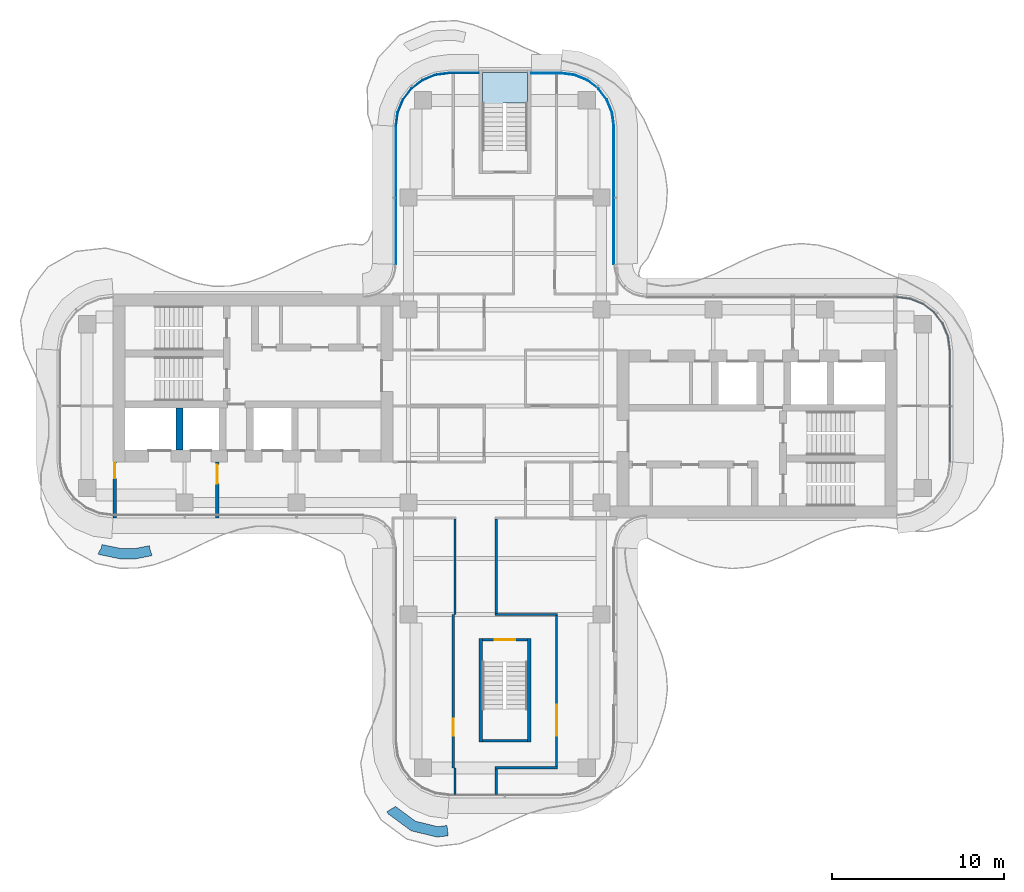
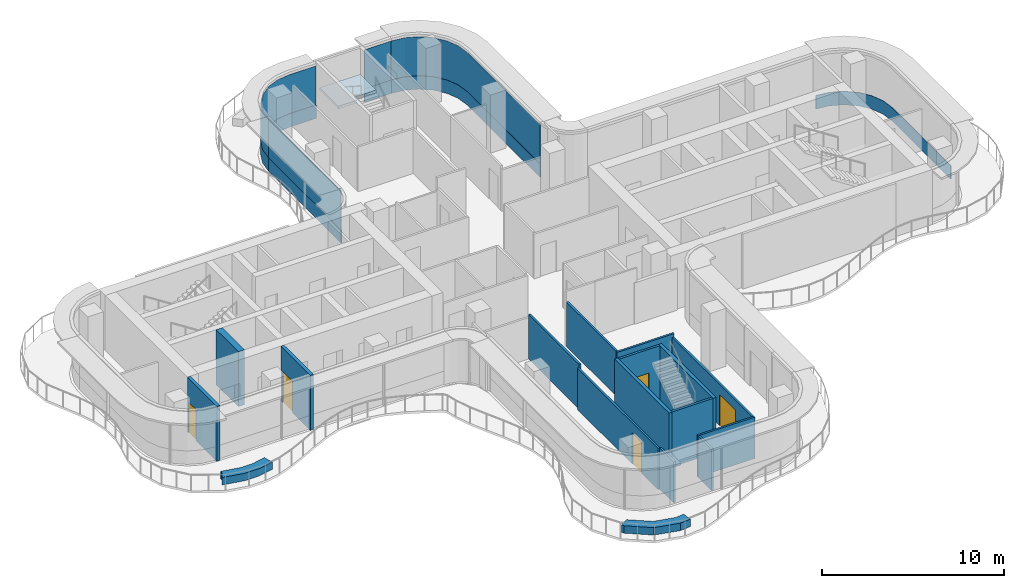
# One storey, part 10 of 16: 17 walls, 9 plates, 5 doors, 1 slab, 5 openings, 6 elements without a shape of their own.
"""IFC4 building model written with IfcOpenShell, lengths in metres."""

import ifcopenshell
import ifcopenshell.guid

model = None  # the IFC model being written
_history = None  # IfcOwnerHistory: only IFC2X3 demands one
_inside = {}  # id of a spatial element -> (the spatial element, [elements in it])
_under = {}  # id of a project, library or spatial element -> (it, [spatial elements below it])
_declared = {}  # id of a project -> (the project, [libraries it declares])
_typed = {}  # id of a type object -> (the type object, [elements of that type])
_made_of = {}  # id of a material, layer set ... -> (it, [elements and type objects made of it])


def new_model(schema):
    """Start an empty IFC model of exactly this schema.

    Asked for "IFC4X3", IfcOpenShell would pick the latest addendum, in which some entities
    have other attributes; the version numbers below select the first issue.
    IFC2X3 requires an IfcOwnerHistory on every rooted entity: one is made here for all.
    """
    global model, _history
    if schema == "IFC4X3":
        model = ifcopenshell.file(schema_version=(4, 3, 0, 0))
    else:
        model = ifcopenshell.file(schema=schema)
    _inside.clear()
    _under.clear()
    _declared.clear()
    _typed.clear()
    _made_of.clear()
    _history = None
    if model.schema == "IFC2X3":
        org = make("IfcOrganization", Name="unknown")
        user = make(
            "IfcPersonAndOrganization",
            ThePerson=make("IfcPerson", FamilyName="unknown"),
            TheOrganization=org,
        )
        app = make(
            "IfcApplication",
            ApplicationDeveloper=org,
            Version="unknown",
            ApplicationFullName="unknown",
            ApplicationIdentifier="unknown",
        )
        _history = make(
            "IfcOwnerHistory",
            OwningUser=user,
            OwningApplication=app,
            ChangeAction="ADDED",
            CreationDate=0,
        )
    return model


def make(cls, **values):
    """One entity of the class cls with the attributes given. An attribute that is None is left unset."""
    return model.create_entity(
        cls, **{name: value for name, value in values.items() if value is not None}
    )


def rooted(cls, **values):
    """An entity with a GlobalId (a new one), such as an element, a storey or a relation."""
    return make(cls, GlobalId=ifcopenshell.guid.new(), OwnerHistory=_history, **values)


def si_unit(unit_type, name, prefix=None):
    """IfcSIUnit, for example si_unit("LENGTHUNIT", "METRE", prefix="MILLI")."""
    return make("IfcSIUnit", UnitType=unit_type, Prefix=prefix, Name=name)


def assignment(units):
    """IfcUnitAssignment: the units of a project."""
    return None if units is None else make("IfcUnitAssignment", Units=units)


def point(xyz):
    """IfcCartesianPoint."""
    return None if xyz is None else make("IfcCartesianPoint", Coordinates=xyz)


def direction(xyz):
    """IfcDirection."""
    return None if xyz is None else make("IfcDirection", DirectionRatios=xyz)


def frame(location, z_axis=None, x_axis=None):
    """IfcAxis2Placement3D, a coordinate frame: its origin and axes. An axis left out is left unset."""
    return make(
        "IfcAxis2Placement3D",
        Location=point(location),
        Axis=direction(z_axis),
        RefDirection=direction(x_axis),
    )


def frame_2d(location, x_axis=None):
    """IfcAxis2Placement2D, a coordinate frame in the plane: its origin and x axis."""
    return make(
        "IfcAxis2Placement2D", Location=point(location), RefDirection=direction(x_axis)
    )


def origin():
    """The frame at (0, 0, 0) with its axes left unset."""
    return frame((0.0, 0.0, 0.0))


def place(relative_to, where):
    """IfcLocalPlacement: puts the frame where relative to a parent placement (None: the world)."""
    return make(
        "IfcLocalPlacement", PlacementRelTo=relative_to, RelativePlacement=where
    )


def context(
    kind, dimensions, precision=None, world=None, true_north=None, identifier=None
):
    """IfcGeometricRepresentationContext, for example the 3D "Model" context."""
    return make(
        "IfcGeometricRepresentationContext",
        ContextIdentifier=identifier,
        ContextType=kind,
        CoordinateSpaceDimension=dimensions,
        Precision=precision,
        WorldCoordinateSystem=world,
        TrueNorth=true_north,
    )


def subcontext(parent, identifier, kind, view, scale=None):
    """IfcGeometricRepresentationSubContext, for example "Body" below "Model"."""
    return make(
        "IfcGeometricRepresentationSubContext",
        ContextIdentifier=identifier,
        ContextType=kind,
        ParentContext=parent,
        TargetScale=scale,
        TargetView=view,
    )


def project(units=None, contexts=None):
    """IfcProject with its units and contexts."""
    return rooted(
        "IfcProject",
        Name="project",
        RepresentationContexts=contexts,
        UnitsInContext=assignment(units),
    )


def spatial(cls, under=None, at=None, **own):
    """A site, building, storey or space (cls), placed at a placement, below another one or the project."""
    s = rooted(cls, ObjectPlacement=at, **own)
    if under is not None:
        _under.setdefault(under.id(), (under, []))[1].append(s)
    return s


def polyline(points):
    """IfcPolyline through the points."""
    return make("IfcPolyline", Points=[point(p) for p in points])


def profile(cls, at=None, kind="AREA", **sizes):
    """A parametric profile (cls). Its sizes go by their IFC names, for example OverallWidth=200.0."""
    return make(cls, ProfileType=kind, Position=at, **sizes)


def rectangle(**sizes):
    """IfcRectangleProfileDef."""
    return profile("IfcRectangleProfileDef", **sizes)


def outline(outer, holes=None, kind="AREA"):
    """IfcArbitraryClosedProfileDef: a profile drawn as a closed curve; with holes, ...WithVoids."""
    if holes is None:
        return make("IfcArbitraryClosedProfileDef", ProfileType=kind, OuterCurve=outer)
    return make(
        "IfcArbitraryProfileDefWithVoids",
        ProfileType=kind,
        OuterCurve=outer,
        InnerCurves=holes,
    )


def extrude(swept, where, along, depth):
    """IfcExtrudedAreaSolid: the profile swept, set in the frame where, extruded along a direction by depth."""
    return make(
        "IfcExtrudedAreaSolid",
        SweptArea=swept,
        Position=where,
        ExtrudedDirection=direction(along),
        Depth=depth,
    )


def shape(context_of_items, identifier, shape_type, items):
    """IfcShapeRepresentation: the items that make up one representation, for example the "Body"."""
    return make(
        "IfcShapeRepresentation",
        ContextOfItems=context_of_items,
        RepresentationIdentifier=identifier,
        RepresentationType=shape_type,
        Items=items,
    )


def source(mapping_origin, context_of_items, identifier, shape_type, items):
    """IfcRepresentationMap: a shape defined once, which mapped items show again and again."""
    return make(
        "IfcRepresentationMap",
        MappingOrigin=mapping_origin,
        MappedRepresentation=shape(context_of_items, identifier, shape_type, items),
    )


def transform(
    local_origin,
    x_axis=None,
    y_axis=None,
    z_axis=None,
    scale=None,
    scale2=None,
    scale3=None,
    uniform=True,
):
    """IfcCartesianTransformationOperator3D, or its non-uniform kind. x_axis, y_axis, z_axis: its Axis1, 2, 3."""
    if uniform:
        return make(
            "IfcCartesianTransformationOperator3D",
            Axis1=direction(x_axis),
            Axis2=direction(y_axis),
            LocalOrigin=point(local_origin),
            Scale=scale,
            Axis3=direction(z_axis),
        )
    return make(
        "IfcCartesianTransformationOperator3DnonUniform",
        Axis1=direction(x_axis),
        Axis2=direction(y_axis),
        LocalOrigin=point(local_origin),
        Scale=scale,
        Axis3=direction(z_axis),
        Scale2=scale2,
        Scale3=scale3,
    )


def mapped(mapping_source, mapping_target):
    """IfcMappedItem: shows the shape of a source again, moved by a transform."""
    return make(
        "IfcMappedItem", MappingSource=mapping_source, MappingTarget=mapping_target
    )


def material(Name=None, Category=None):
    """IfcMaterial."""
    return make("IfcMaterial", Name=Name, Category=Category)


def layer(
    of_material, thickness, ventilated=None, Name=None, Category=None, Priority=None
):
    """IfcMaterialLayer: one layer of a wall or slab, of a material (None: an air gap)."""
    return make(
        "IfcMaterialLayer",
        Material=of_material,
        LayerThickness=thickness,
        IsVentilated=ventilated,
        Name=Name,
        Category=Category,
        Priority=Priority,
    )


def layer_set(layers, Name=None):
    """IfcMaterialLayerSet."""
    return make("IfcMaterialLayerSet", MaterialLayers=layers, LayerSetName=Name)


def made_of(thing, what):
    """Note that an element or type object is made of a material, layer set ...; save() writes the relation."""
    if what is not None:
        _made_of.setdefault(what.id(), (what, []))[1].append(thing)
    return thing


def type_object(cls, material=None, **own):
    """A type object (cls), such as IfcWallType, which elements share."""
    return made_of(rooted(cls, **own), material)


def element(
    cls,
    number,
    at=None,
    inside=None,
    cuts=None,
    type_object=None,
    material=None,
    context=None,
    identifier="Body",
    shape_type=None,
    held_by="IfcProductDefinitionShape",
    body=None,
    shapes=None,
    **own,
):
    """One element of the class cls, such as IfcWall. Its Tag is "e" and its number.

    at: its placement. inside: the storey or other place that contains it. cuts: it is an
    opening in that element (IfcRelVoidsElement). A single representation is given by context,
    identifier, shape_type and body (its items); several are given by shapes. held_by: the class
    of the entity that holds the representations. save() writes the other relations.
    """
    e = rooted(cls, Tag="e%d" % number, ObjectPlacement=at, **own)
    if body is not None:
        shapes = [shape(context, identifier, shape_type, body)]
    if shapes is not None:
        e.Representation = make(held_by, Representations=shapes)
    if inside is not None:
        _inside.setdefault(inside.id(), (inside, []))[1].append(e)
    if cuts is not None:
        rooted(
            "IfcRelVoidsElement", RelatingBuildingElement=cuts, RelatedOpeningElement=e
        )
    if type_object is not None:
        _typed.setdefault(type_object.id(), (type_object, []))[1].append(e)
    return made_of(e, material)


def fill(opening, filler):
    """IfcRelFillsElement: the door or window that sits in an opening."""
    return rooted(
        "IfcRelFillsElement",
        RelatingOpeningElement=opening,
        RelatedBuildingElement=filler,
    )


def aggregate(whole, parts):
    """IfcRelAggregates: a whole, such as a stair, and the parts it consists of."""
    return rooted("IfcRelAggregates", RelatingObject=whole, RelatedObjects=parts)


def save(model, path):
    """Write the relations noted so far, then the file.

    IfcRelAggregates (storeys below a building ...), IfcRelContainedInSpatialStructure (elements
    in a storey), IfcRelDefinesByType, IfcRelAssociatesMaterial and IfcRelDeclares: one each for
    every whole, place, type object, material and project.
    """
    for whole, parts in _under.values():
        aggregate(whole, parts)
    for where, things in _inside.values():
        rooted(
            "IfcRelContainedInSpatialStructure",
            RelatedElements=things,
            RelatingStructure=where,
        )
    for kind, things in _typed.values():
        rooted("IfcRelDefinesByType", RelatedObjects=things, RelatingType=kind)
    for what, things in _made_of.values():
        rooted("IfcRelAssociatesMaterial", RelatedObjects=things, RelatingMaterial=what)
    for by, libraries in _declared.values():
        rooted("IfcRelDeclares", RelatingContext=by, RelatedDefinitions=libraries)
    model.write(path)


model = new_model("IFC4")

# Units and contexts
model_context = context("Model", 3, precision=1e-05, world=origin(), true_north=direction((0.0, 1.0)))
body_context = subcontext(model_context, "Body", "Model", "MODEL_VIEW")
ifc_project = project(units=[si_unit("LENGTHUNIT", "METRE"), si_unit("AREAUNIT", "SQUARE_METRE"), si_unit("VOLUMEUNIT", "CUBIC_METRE"), si_unit("PLANEANGLEUNIT", "RADIAN"), si_unit("MASSUNIT", "GRAM", prefix="KILO")], contexts=[model_context])

# Site, building, storey
site_placement = place(None, origin())
site = spatial("IfcSite", under=ifc_project, at=site_placement, CompositionType="ELEMENT")
building_placement = place(site_placement, origin())
building = spatial("IfcBuilding", under=site, at=building_placement, Name="Trellis Farm Tower", CompositionType="ELEMENT")
storey_placement = place(building_placement, frame((0.0, 0.0, 322.300048828125)))
storey = spatial("IfcBuildingStorey", under=building, at=storey_placement, Name="L73", CompositionType="ELEMENT", Elevation=322.300048828125)

# Stair, slab
ifc_material_1 = material(Name="Concrete C50/60", Category="concrete")
stair_type = type_object("IfcStairType", Name="CORE EXIT STAIR 22 RISERS 177 MM", PredefinedType="HALF_TURN_STAIR", material=ifc_material_1)
placement_1 = place(storey_placement, origin())
stair = element("IfcStair", 1, at=placement_1, inside=storey, type_object=stair_type, Name="Exit stair N", PredefinedType="HALF_TURN_STAIR")
ifc_layer_1 = layer(ifc_material_1, 0.18994140625)
ifc_layer_set_1 = layer_set([ifc_layer_1], Name="CORE STAIR LANDING 190 CONCRETE C50/60")
slab_type = type_object("IfcSlabType", Name="CORE STAIR LANDING 190 CONCRETE C50/60", PredefinedType="LANDING", material=ifc_layer_set_1)
shared_shape_1 = source(origin(), body_context, "Body", "SweptSolid", [
    extrude(outline(polyline([(-0.10009765625, 17.27197265625), (-1.300048828125, 17.27197265625), (-1.300048828125, 17.60009765625), (-1.300048828125, 19.35009765625), (1.300048828125, 19.35009765625), (1.300048828125, 17.60009765625), (1.300048828125, 17.590087890625), (0.10009765625, 17.590087890625), (0.10009765625, 17.60009765625), (-0.10009765625, 17.60009765625), (-0.10009765625, 17.27197265625)])), origin(), (0.0, 0.0, 1.0), 0.18994140625),
])
slab_placement = place(storey_placement, frame((0.0, 0.0, 1.760009765625)))
slab = element("IfcSlab", 2, at=slab_placement, type_object=slab_type, Name="STN landing 1", PredefinedType="LANDING", context=body_context, shape_type="MappedRepresentation", body=[
    mapped(shared_shape_1, transform((0.0, 0.0, 0.0))),
])
aggregate(stair, [slab])

# Curtain wall, plate
ifc_material_2 = material(Name="Aluminium and glass curtain wall", Category="aluminium")
ifc_layer_2 = layer(ifc_material_2, 0.18994140625)
ifc_layer_set_2 = layer_set([ifc_layer_2], Name="RIBBON CURTAIN WALL CW1")
curtain_wall_type = type_object("IfcCurtainWallType", Name="RIBBON CURTAIN WALL CW1", PredefinedType="NOTDEFINED", material=ifc_layer_set_2)
curtain_wall_1 = element("IfcCurtainWall", 3, at=placement_1, inside=storey, type_object=curtain_wall_type, Name="CW1 007", PredefinedType="NOTDEFINED")
ifc_material_3 = material(Name="Sandstone faced insulated panel", Category="masonry")
ifc_layer_3 = layer(ifc_material_3, 0.050048828125)
ifc_layer_set_3 = layer_set([ifc_layer_3], Name="CW1 STONE SPANDREL PANEL 50")
plate_type_1 = type_object("IfcPlateType", Name="CW1 STONE SPANDREL PANEL 50", PredefinedType="CURTAIN_PANEL", material=ifc_layer_set_3)
shared_shape_2 = source(origin(), body_context, "Body", "SweptSolid", [
    extrude(outline(polyline([(25.85009765625, -3.240234375), (25.85009765625, 3.240234375), (25.7431640625, 4.052001953125), (25.43359375, 4.79931640625), (24.941162109375, 5.441162109375), (24.29931640625, 5.93359375), (23.552001953125, 6.2431640625), (22.740234375, 6.35009765625), (22.73681640625, 6.300048828125), (23.5390625, 6.1943359375), (24.274169921875, 5.889892578125), (24.905517578125, 5.405517578125), (25.389892578125, 4.774169921875), (25.6943359375, 4.0390625), (25.800048828125, 3.23681640625), (25.800048828125, -3.23681640625), (25.85009765625, -3.240234375)])), origin(), (0.0, 0.0, 1.0), 0.89990234375),
])
plate_1 = element("IfcPlate", 4, at=placement_1, type_object=plate_type_1, Name="PS1 007", PredefinedType="CURTAIN_PANEL", context=body_context, shape_type="MappedRepresentation", body=[
    mapped(shared_shape_2, transform((0.0, 0.0, 0.0))),
])
aggregate(curtain_wall_1, [plate_1])

# Curtain wall, plates
curtain_wall_2 = element("IfcCurtainWall", 5, at=placement_1, inside=storey, type_object=curtain_wall_type, Name="CW1 009", PredefinedType="NOTDEFINED")
ifc_material_4 = material(Name="Clear insulated glass", Category="glass")
ifc_layer_4 = layer(ifc_material_4, 0.0400390625)
ifc_layer_set_4 = layer_set([ifc_layer_4], Name="CW1 GLASS PANEL 40")
plate_type_2 = type_object("IfcPlateType", Name="CW1 GLASS PANEL 40", PredefinedType="CURTAIN_PANEL", material=ifc_layer_set_4)
shared_shape_3 = source(origin(), body_context, "Body", "SweptSolid", [
    extrude(outline(polyline([(6.35009765625, 8.2265625), (6.35009765625, 16.240234375), (6.2431640625, 17.052001953125), (5.93359375, 17.79931640625), (5.441162109375, 18.441162109375), (4.79931640625, 18.93359375), (4.052001953125, 19.2431640625), (3.240234375, 19.35009765625), (3.237548828125, 19.31005859375), (4.04150390625, 19.2041015625), (4.779296875, 18.898681640625), (5.41259765625, 18.41259765625), (5.898681640625, 17.779296875), (6.2041015625, 17.04150390625), (6.31005859375, 16.237548828125), (6.31005859375, 8.22509765625), (6.35009765625, 8.2265625)])), origin(), (0.0, 0.0, 1.0), 2.6201171875),
])
placement_2 = place(storey_placement, frame((0.0, 0.0, 0.89990234375)))
plate_2 = element("IfcPlate", 6, at=placement_2, type_object=plate_type_2, Name="PL1 009", PredefinedType="CURTAIN_PANEL", context=body_context, shape_type="MappedRepresentation", body=[
    mapped(shared_shape_3, transform((0.0, 0.0, 0.0))),
])
shared_shape_4 = source(origin(), body_context, "Body", "SweptSolid", [
    extrude(outline(polyline([(6.35009765625, 8.2265625), (6.35009765625, 16.240234375), (6.2431640625, 17.052001953125), (5.93359375, 17.79931640625), (5.441162109375, 18.441162109375), (4.79931640625, 18.93359375), (4.052001953125, 19.2431640625), (3.240234375, 19.35009765625), (3.23681640625, 19.300048828125), (4.0390625, 19.1943359375), (4.774169921875, 18.889892578125), (5.405517578125, 18.405517578125), (5.889892578125, 17.774169921875), (6.1943359375, 17.0390625), (6.300048828125, 16.23681640625), (6.300048828125, 8.224853515625), (6.35009765625, 8.2265625)])), origin(), (0.0, 0.0, 1.0), 0.89990234375),
])
plate_3 = element("IfcPlate", 7, at=placement_1, type_object=plate_type_1, Name="PS1 009", PredefinedType="CURTAIN_PANEL", context=body_context, shape_type="MappedRepresentation", body=[
    mapped(shared_shape_4, transform((0.0, 0.0, 0.0))),
])
aggregate(curtain_wall_2, [plate_2, plate_3])

curtain_wall_3 = element("IfcCurtainWall", 8, at=placement_1, inside=storey, type_object=curtain_wall_type, Name="CW1 010", PredefinedType="NOTDEFINED")
shared_shape_5 = source(origin(), body_context, "Body", "SweptSolid", [
    extrude(outline(polyline([(3.240234375, 19.35009765625), (1.530029296875, 19.35009765625), (1.530029296875, 19.31005859375), (3.237548828125, 19.31005859375), (3.240234375, 19.35009765625)])), origin(), (0.0, 0.0, 1.0), 2.6201171875),
])
plate_4 = element("IfcPlate", 9, at=placement_2, type_object=plate_type_2, Name="PL1 010", PredefinedType="CURTAIN_PANEL", context=body_context, shape_type="MappedRepresentation", body=[
    mapped(shared_shape_5, transform((0.0, 0.0, 0.0))),
])
shared_shape_6 = source(origin(), body_context, "Body", "SweptSolid", [
    extrude(outline(polyline([(3.240234375, 19.35009765625), (1.530029296875, 19.35009765625), (1.530029296875, 19.300048828125), (3.23681640625, 19.300048828125), (3.240234375, 19.35009765625)])), origin(), (0.0, 0.0, 1.0), 0.89990234375),
])
plate_5 = element("IfcPlate", 10, at=placement_1, type_object=plate_type_1, Name="PS1 010", PredefinedType="CURTAIN_PANEL", context=body_context, shape_type="MappedRepresentation", body=[
    mapped(shared_shape_6, transform((0.0, 0.0, 0.0))),
])
aggregate(curtain_wall_3, [plate_4, plate_5])

curtain_wall_4 = element("IfcCurtainWall", 11, at=placement_1, inside=storey, type_object=curtain_wall_type, Name="CW1 012", PredefinedType="NOTDEFINED")
shared_shape_7 = source(origin(), body_context, "Body", "SweptSolid", [
    extrude(outline(polyline([(-6.35009765625, 16.240234375), (-6.35009765625, 8.2265625), (-6.31005859375, 8.22509765625), (-6.31005859375, 16.237548828125), (-6.35009765625, 16.240234375)])), origin(), (0.0, 0.0, 1.0), 2.6201171875),
])
plate_6 = element("IfcPlate", 12, at=placement_2, type_object=plate_type_2, Name="PL1 012", PredefinedType="CURTAIN_PANEL", context=body_context, shape_type="MappedRepresentation", body=[
    mapped(shared_shape_7, transform((0.0, 0.0, 0.0))),
])
shared_shape_8 = source(origin(), body_context, "Body", "SweptSolid", [
    extrude(outline(polyline([(-6.35009765625, 16.240234375), (-6.35009765625, 8.2265625), (-6.300048828125, 8.224853515625), (-6.300048828125, 16.23681640625), (-6.35009765625, 16.240234375)])), origin(), (0.0, 0.0, 1.0), 0.89990234375),
])
plate_7 = element("IfcPlate", 13, at=placement_1, type_object=plate_type_1, Name="PS1 012", PredefinedType="CURTAIN_PANEL", context=body_context, shape_type="MappedRepresentation", body=[
    mapped(shared_shape_8, transform((0.0, 0.0, 0.0))),
])
aggregate(curtain_wall_4, [plate_6, plate_7])

curtain_wall_5 = element("IfcCurtainWall", 14, at=placement_1, inside=storey, type_object=curtain_wall_type, Name="CW1 011", PredefinedType="NOTDEFINED")
shared_shape_9 = source(origin(), body_context, "Body", "SweptSolid", [
    extrude(outline(polyline([(-1.530029296875, 19.35009765625), (-3.240234375, 19.35009765625), (-4.052001953125, 19.2431640625), (-4.79931640625, 18.93359375), (-5.441162109375, 18.441162109375), (-5.93359375, 17.79931640625), (-6.2431640625, 17.052001953125), (-6.35009765625, 16.240234375), (-6.31005859375, 16.237548828125), (-6.2041015625, 17.04150390625), (-5.898681640625, 17.779296875), (-5.41259765625, 18.41259765625), (-4.779296875, 18.898681640625), (-4.04150390625, 19.2041015625), (-3.237548828125, 19.31005859375), (-1.530029296875, 19.31005859375), (-1.530029296875, 19.35009765625)])), origin(), (0.0, 0.0, 1.0), 2.6201171875),
])
plate_8 = element("IfcPlate", 15, at=placement_2, type_object=plate_type_2, Name="PL1 011", PredefinedType="CURTAIN_PANEL", context=body_context, shape_type="MappedRepresentation", body=[
    mapped(shared_shape_9, transform((0.0, 0.0, 0.0))),
])
shared_shape_10 = source(origin(), body_context, "Body", "SweptSolid", [
    extrude(outline(polyline([(-1.530029296875, 19.35009765625), (-3.240234375, 19.35009765625), (-4.052001953125, 19.2431640625), (-4.79931640625, 18.93359375), (-5.441162109375, 18.441162109375), (-5.93359375, 17.79931640625), (-6.2431640625, 17.052001953125), (-6.35009765625, 16.240234375), (-6.300048828125, 16.23681640625), (-6.1943359375, 17.0390625), (-5.889892578125, 17.774169921875), (-5.405517578125, 18.405517578125), (-4.774169921875, 18.889892578125), (-4.0390625, 19.1943359375), (-3.23681640625, 19.300048828125), (-1.530029296875, 19.300048828125), (-1.530029296875, 19.35009765625)])), origin(), (0.0, 0.0, 1.0), 0.89990234375),
])
plate_9 = element("IfcPlate", 16, at=placement_1, type_object=plate_type_1, Name="PS1 011", PredefinedType="CURTAIN_PANEL", context=body_context, shape_type="MappedRepresentation", body=[
    mapped(shared_shape_10, transform((0.0, 0.0, 0.0))),
])
aggregate(curtain_wall_5, [plate_8, plate_9])

# Walls
ifc_material_5 = material(Name="Sandstone faced masonry planter", Category="masonry")
ifc_layer_5 = layer(ifc_material_5, 0.60009765625)
ifc_layer_set_5 = layer_set([ifc_layer_5], Name="PLANTER BED 600")
wall_type_1 = type_object("IfcWallType", Name="PLANTER BED 600", PredefinedType="USERDEFINED", material=ifc_layer_set_5)
element("IfcWall", 17, at=placement_1, inside=storey, type_object=wall_type_1, Name="PLANTER bed", ObjectType="PLANTER", PredefinedType="USERDEFINED", context=body_context, shape_type="SweptSolid", body=[
    extrude(outline(polyline([(-3.9453125, -25.021728515625), (-5.444091796875, -24.65673828125), (-6.772216796875, -23.6796875), (-6.854248046875, -23.542236328125), (-6.339599609375, -23.234130859375), (-6.3193359375, -23.267822265625), (-5.185302734375, -24.102294921875), (-3.906982421875, -24.41357421875), (-3.363037109375, -24.351806640625), (-3.29541015625, -24.947998046875), (-3.9453125, -25.021728515625)])), origin(), (0.0, 0.0, 1.0), 0.5),
])
element("IfcWall", 18, at=placement_1, inside=storey, type_object=wall_type_1, Name="PLANTER bed", ObjectType="PLANTER", PredefinedType="USERDEFINED", context=body_context, shape_type="SweptSolid", body=[
    extrude(outline(polyline([(-23.425537109375, -8.185791015625), (-23.39501953125, -8.0390625), (-22.2646484375, -8.2744140625), (-21.465087890625, -8.269775390625), (-20.640625, -8.10693359375), (-20.61181640625, -8.254150390625), (-20.62890625, -8.2587890625), (-20.478759765625, -8.682861328125), (-21.40478515625, -8.869384765625), (-22.32470703125, -8.874755859375), (-23.5615234375, -8.6171875), (-23.623291015625, -8.583251953125), (-23.40771484375, -8.1923828125), (-23.425537109375, -8.185791015625)])), origin(), (0.0, 0.0, 1.0), 0.5),
])
ifc_layer_6 = layer(ifc_material_1, 0.39990234375)
ifc_layer_set_6 = layer_set([ifc_layer_6], Name="CORE INNER WALL 400 CONCRETE C50/60")
wall_type_2 = type_object("IfcWallType", Name="CORE INNER WALL 400 CONCRETE C50/60", PredefinedType="SHEAR", material=ifc_layer_set_6)
shared_shape_11 = source(origin(), body_context, "Body", "SweptSolid", [
    extrude(rectangle(XDim=2.449951171875, YDim=0.39990234375, at=frame_2d((1.22509765625, 0.0))), origin(), (0.0, 0.0, 1.0), 3.699951171875),
])
wall_3_placement = place(storey_placement, frame((-18.89990234375, -0.10009765625, 0.0), z_axis=(0.0, 0.0, 1.0), x_axis=(0.0, -1.0, 0.0)))
element("IfcWall", 19, at=wall_3_placement, inside=storey, type_object=wall_type_2, Name="Core wall", PredefinedType="SHEAR", context=body_context, shape_type="MappedRepresentation", body=[
    mapped(shared_shape_11, transform((0.0, 0.0, 0.0))),
])

# Wall, opening, door
ifc_material_6 = material(Name="Masonry blockwork", Category="masonry")
ifc_layer_7 = layer(ifc_material_6, 0.199951171875)
ifc_layer_set_7 = layer_set([ifc_layer_7], Name="FIRE LOBBY PARTITION 200 BLOCKWORK")
wall_type_3 = type_object("IfcWallType", Name="FIRE LOBBY PARTITION 200 BLOCKWORK", PredefinedType="PARTITIONING", material=ifc_layer_set_7)
shared_shape_12 = source(origin(), body_context, "Body", "SweptSolid", [
    extrude(rectangle(XDim=3.25, YDim=0.199951171875, at=frame_2d((1.625, 0.0))), origin(), (0.0, 0.0, 1.0), 3.699951171875),
])
wall_4_placement = place(storey_placement, frame((-16.699951171875, -3.25, 0.0), z_axis=(0.0, 0.0, 1.0), x_axis=(0.0, -1.0, 0.0)))
wall_4 = element("IfcWall", 20, at=wall_4_placement, inside=storey, type_object=wall_type_3, Name="Fire-fighting lobby partition", PredefinedType="PARTITIONING", context=body_context, shape_type="MappedRepresentation", body=[
    mapped(shared_shape_12, transform((0.0, 0.0, 0.0))),
])
shared_shape_13 = source(origin(), body_context, "Body", "SweptSolid", [
    extrude(rectangle(XDim=1.10009765625, YDim=2.10009765625, at=frame_2d((0.550048828125, 1.050048828125))), frame((0.0, 0.110107421875, 0.0), z_axis=(0.0, -1.0, 0.0), x_axis=(1.0, 0.0, 0.0)), (0.0, 0.0, 1.0), 0.22021484375),
])
opening_1_placement = place(wall_4_placement, frame((0.14990234375, 0.0, 0.0)))
opening_1 = element("IfcOpeningElement", 21, at=opening_1_placement, cuts=wall_4, Name="Opening DC93", PredefinedType="OPENING", context=body_context, shape_type="MappedRepresentation", body=[
    mapped(shared_shape_13, transform((0.0, 0.0, 0.0))),
])
ifc_material_7 = material(Name="Steel", Category="steel")
door_type_1 = type_object("IfcDoorType", Name="CORE FIRE DOOR 1100 X 2100", OperationType="NOTDEFINED", PredefinedType="DOOR", material=ifc_material_7)
shared_shape_14 = source(origin(), body_context, "Body", "SweptSolid", [
    extrude(rectangle(XDim=1.10009765625, YDim=2.10009765625, at=frame_2d((0.550048828125, 1.050048828125))), frame((0.0, 0.02490234375, 0.0), z_axis=(0.0, -1.0, 0.0), x_axis=(1.0, 0.0, 0.0)), (0.0, 0.0, 1.0), 0.050048828125),
])
door_1_placement = place(opening_1_placement, origin())
door_1 = element("IfcDoor", 22, at=door_1_placement, inside=storey, type_object=door_type_1, Name="Core door", OperationType="SINGLE_SWING_RIGHT", OverallHeight=2.10009765625, OverallWidth=1.10009765625, PredefinedType="DOOR", context=body_context, shape_type="MappedRepresentation", body=[
    mapped(shared_shape_14, transform((0.0, 0.0, 0.0))),
])
fill(opening_1, door_1)

wall_5_placement = place(storey_placement, frame((-22.64990234375, -3.25, 0.0), z_axis=(0.0, 0.0, 1.0), x_axis=(0.0, -1.0, 0.0)))
wall_5 = element("IfcWall", 23, at=wall_5_placement, inside=storey, type_object=wall_type_3, Name="Fire-fighting lobby partition", PredefinedType="PARTITIONING", context=body_context, shape_type="MappedRepresentation", body=[
    mapped(shared_shape_12, transform((0.0, 0.0, 0.0))),
])
shared_shape_15 = source(origin(), body_context, "Body", "SweptSolid", [
    extrude(rectangle(XDim=0.89990234375, YDim=2.10009765625, at=frame_2d((0.449951171875, 1.050048828125))), frame((0.0, 0.110107421875, 0.0), z_axis=(0.0, -1.0, 0.0), x_axis=(1.0, 0.0, 0.0)), (0.0, 0.0, 1.0), 0.22021484375),
])
opening_2_placement = place(wall_5_placement, frame((0.050048828125, 0.0, 0.0)))
opening_2 = element("IfcOpeningElement", 24, at=opening_2_placement, cuts=wall_5, Name="Opening DC94", PredefinedType="OPENING", context=body_context, shape_type="MappedRepresentation", body=[
    mapped(shared_shape_15, transform((0.0, 0.0, 0.0))),
])
door_type_2 = type_object("IfcDoorType", Name="CORE FIRE DOOR 900 X 2100", OperationType="NOTDEFINED", PredefinedType="DOOR", material=ifc_material_7)
shared_shape_16 = source(origin(), body_context, "Body", "SweptSolid", [
    extrude(rectangle(XDim=0.89990234375, YDim=2.10009765625, at=frame_2d((0.449951171875, 1.050048828125))), frame((0.0, 0.02490234375, 0.0), z_axis=(0.0, -1.0, 0.0), x_axis=(1.0, 0.0, 0.0)), (0.0, 0.0, 1.0), 0.050048828125),
])
door_2_placement = place(opening_2_placement, origin())
door_2 = element("IfcDoor", 25, at=door_2_placement, inside=storey, type_object=door_type_2, Name="Core door", OperationType="SINGLE_SWING_RIGHT", OverallHeight=2.10009765625, OverallWidth=0.89990234375, PredefinedType="DOOR", context=body_context, shape_type="MappedRepresentation", body=[
    mapped(shared_shape_16, transform((0.0, 0.0, 0.0))),
])
fill(opening_2, door_2)

# Walls
ifc_layer_8 = layer(ifc_material_1, 0.199951171875)
ifc_layer_set_8 = layer_set([ifc_layer_8], Name="CORE STAIR ENCLOSURE WALL 200 CONCRETE C50/60")
wall_type_4 = type_object("IfcWallType", Name="CORE STAIR ENCLOSURE WALL 200 CONCRETE C50/60", PredefinedType="SHEAR", material=ifc_layer_set_8)
shared_shape_17 = source(origin(), body_context, "Body", "SweptSolid", [
    extrude(rectangle(XDim=6.0, YDim=0.199951171875, at=frame_2d((3.0, 0.0))), origin(), (0.0, 0.0, 1.0), 3.699951171875),
])
for number, where, z_axis, x_axis, name in (
    (26, (1.39990234375, -13.5, 0.0), (0.0, 0.0, 1.0), (0.0, -1.0, 0.0), "Stair enclosure wall"),
    (27, (-1.39990234375, -13.5, 0.0), (0.0, 0.0, 1.0), (0.0, -1.0, 0.0), "Stair enclosure wall"),
):
    element("IfcWall", number, at=place(storey_placement, frame(where, z_axis=z_axis, x_axis=x_axis)), inside=storey, type_object=wall_type_4, Name=name, PredefinedType="SHEAR", context=body_context, shape_type="MappedRepresentation", body=[
        mapped(shared_shape_17, transform((0.0, 0.0, 0.0))),
    ])

# Wall, opening, door
ifc_layer_9 = layer(ifc_material_1, 0.14990234375)
ifc_layer_set_9 = layer_set([ifc_layer_9], Name="CORE STAIR ENCLOSURE WALL 150 CONCRETE C50/60")
wall_type_5 = type_object("IfcWallType", Name="CORE STAIR ENCLOSURE WALL 150 CONCRETE C50/60", PredefinedType="SHEAR", material=ifc_layer_set_9)
shared_shape_18 = source(origin(), body_context, "Body", "SweptSolid", [
    extrude(rectangle(XDim=2.60009765625, YDim=0.14990234375, at=frame_2d((1.300048828125, 0.0))), origin(), (0.0, 0.0, 1.0), 3.699951171875),
])
wall_6_placement = place(storey_placement, frame((1.300048828125, -13.574951171875, 0.0), z_axis=(0.0, 0.0, 1.0), x_axis=(-1.0, 0.0, 0.0)))
wall_6 = element("IfcWall", 28, at=wall_6_placement, inside=storey, type_object=wall_type_5, Name="Stair enclosure wall", PredefinedType="SHEAR", context=body_context, shape_type="MappedRepresentation", body=[
    mapped(shared_shape_18, transform((0.0, 0.0, 0.0))),
])
shared_shape_19 = source(origin(), body_context, "Body", "SweptSolid", [
    extrude(rectangle(XDim=1.199951171875, YDim=2.10009765625, at=frame_2d((0.60009765625, 1.050048828125))), frame((0.0, 0.0849609375, 0.0), z_axis=(0.0, -1.0, 0.0), x_axis=(1.0, 0.0, 0.0)), (0.0, 0.0, 1.0), 0.169921875),
])
opening_3_placement = place(wall_6_placement, frame((0.699951171875, 0.0, 0.0)))
opening_3 = element("IfcOpeningElement", 29, at=opening_3_placement, cuts=wall_6, Name="Opening DC174", PredefinedType="OPENING", context=body_context, shape_type="MappedRepresentation", body=[
    mapped(shared_shape_19, transform((0.0, 0.0, 0.0))),
])
door_type_3 = type_object("IfcDoorType", Name="CORE FIRE DOOR 1200 X 2100", OperationType="NOTDEFINED", PredefinedType="DOOR", material=ifc_material_7)
shared_shape_20 = source(origin(), body_context, "Body", "SweptSolid", [
    extrude(rectangle(XDim=1.199951171875, YDim=2.10009765625, at=frame_2d((0.60009765625, 1.050048828125))), frame((0.0, 0.02490234375, 0.0), z_axis=(0.0, -1.0, 0.0), x_axis=(1.0, 0.0, 0.0)), (0.0, 0.0, 1.0), 0.050048828125),
])
door_3_placement = place(opening_3_placement, origin())
door_3 = element("IfcDoor", 30, at=door_3_placement, inside=storey, type_object=door_type_3, Name="Core door", OperationType="SINGLE_SWING_RIGHT", OverallHeight=2.10009765625, OverallWidth=1.199951171875, PredefinedType="DOOR", context=body_context, shape_type="MappedRepresentation", body=[
    mapped(shared_shape_20, transform((0.0, 0.0, 0.0))),
])
fill(opening_3, door_3)

# Walls
wall_7_placement = place(storey_placement, frame((1.300048828125, -19.425048828125, 0.0), z_axis=(0.0, 0.0, 1.0), x_axis=(-1.0, 0.0, 0.0)))
element("IfcWall", 31, at=wall_7_placement, inside=storey, type_object=wall_type_5, Name="Stair enclosure wall", PredefinedType="SHEAR", context=body_context, shape_type="MappedRepresentation", body=[
    mapped(shared_shape_18, transform((0.0, 0.0, 0.0))),
])
ifc_material_8 = material(Name="Plasterboard on steel studs, mineral wool", Category="steel")
ifc_layer_10 = layer(ifc_material_8, 0.125)
ifc_layer_set_10 = layer_set([ifc_layer_10], Name="PARTITION 125 STUD EI 60")
wall_type_6 = type_object("IfcWallType", Name="PARTITION 125 STUD EI 60", PredefinedType="PARTITIONING", material=ifc_layer_set_10)
shared_shape_21 = source(origin(), body_context, "Body", "SweptSolid", [
    extrude(rectangle(XDim=5.47509765625, YDim=0.125, at=frame_2d((2.737548828125, 0.0))), origin(), (0.0, 0.0, 1.0), 2.99658203125),
])
wall_8_placement = place(storey_placement, frame((-0.5, -6.5625, 0.0), z_axis=(0.0, 0.0, 1.0), x_axis=(0.0, -1.0, 0.0)))
element("IfcWall", 32, at=wall_8_placement, inside=storey, type_object=wall_type_6, Name="Partition PW1", PredefinedType="PARTITIONING", context=body_context, shape_type="MappedRepresentation", body=[
    mapped(shared_shape_21, transform((0.0, 0.0, 0.0))),
])
shared_shape_22 = source(origin(), body_context, "Body", "SweptSolid", [
    extrude(rectangle(XDim=5.53759765625, YDim=0.125, at=frame_2d((2.768798828125, 0.0))), origin(), (0.0, 0.0, 1.0), 2.99658203125),
])
wall_9_placement = place(storey_placement, frame((-2.89990234375, -12.10009765625, 0.0), z_axis=(0.0, 0.0, 1.0), x_axis=(0.0, 1.0, 0.0)))
element("IfcWall", 33, at=wall_9_placement, inside=storey, type_object=wall_type_6, Name="Partition PW1", PredefinedType="PARTITIONING", context=body_context, shape_type="MappedRepresentation", body=[
    mapped(shared_shape_22, transform((0.0, 0.0, 0.0))),
])
shared_shape_23 = source(origin(), body_context, "Body", "SweptSolid", [
    extrude(rectangle(XDim=3.625, YDim=0.125, at=frame_2d((1.8125, 0.0))), origin(), (0.0, 0.0, 1.0), 2.99658203125),
])
wall_10_placement = place(storey_placement, frame((-0.5625, -12.10009765625, 0.0), z_axis=(0.0, 0.0, 1.0), x_axis=(1.0, 0.0, 0.0)))
element("IfcWall", 34, at=wall_10_placement, inside=storey, type_object=wall_type_6, Name="Partition PW1", PredefinedType="PARTITIONING", context=body_context, shape_type="MappedRepresentation", body=[
    mapped(shared_shape_23, transform((0.0, 0.0, 0.0))),
])

# Wall, opening, door
shared_shape_24 = source(origin(), body_context, "Body", "SweptSolid", [
    extrude(rectangle(XDim=8.77490234375, YDim=0.125, at=frame_2d((4.387451171875, 0.0))), origin(), (0.0, 0.0, 1.0), 2.780029296875),
])
wall_11_placement = place(storey_placement, frame((3.0, -12.16259765625, 0.0), z_axis=(0.0, 0.0, 1.0), x_axis=(0.0, -1.0, 0.0)))
wall_11 = element("IfcWall", 35, at=wall_11_placement, inside=storey, type_object=wall_type_6, Name="Partition PW1", PredefinedType="PARTITIONING", context=body_context, shape_type="MappedRepresentation", body=[
    mapped(shared_shape_24, transform((0.0, 0.0, 0.0))),
])
shared_shape_25 = source(origin(), body_context, "Body", "SweptSolid", [
    extrude(rectangle(XDim=1.800048828125, YDim=2.10009765625, at=frame_2d((0.89990234375, 1.050048828125))), frame((0.0, 0.072509765625, 0.0), z_axis=(0.0, -1.0, 0.0), x_axis=(1.0, 0.0, 0.0)), (0.0, 0.0, 1.0), 0.14501953125),
])
opening_4_placement = place(wall_11_placement, frame((5.1875, 0.0, 0.0)))
opening_4 = element("IfcOpeningElement", 36, at=opening_4_placement, cuts=wall_11, Name="Opening D201", PredefinedType="OPENING", context=body_context, shape_type="MappedRepresentation", body=[
    mapped(shared_shape_25, transform((0.0, 0.0, 0.0))),
])
ifc_material_9 = material(Name="Fire-rated timber door leaf in a hollow metal frame", Category="wood")
door_type_4 = type_object("IfcDoorType", Name="DOOR PAIR 1800x2100 FD30S", OperationType="NOTDEFINED", PredefinedType="DOOR", material=ifc_material_9)
shared_shape_26 = source(origin(), body_context, "Body", "SweptSolid", [
    extrude(rectangle(XDim=1.800048828125, YDim=2.10009765625, at=frame_2d((0.89990234375, 1.050048828125))), frame((0.0, 0.02490234375, 0.0), z_axis=(0.0, -1.0, 0.0), x_axis=(1.0, 0.0, 0.0)), (0.0, 0.0, 1.0), 0.050048828125),
])
door_4_placement = place(opening_4_placement, origin())
door_4 = element("IfcDoor", 37, at=door_4_placement, inside=storey, type_object=door_type_4, Name="Door D201", OperationType="DOUBLE_DOOR_SINGLE_SWING", OverallHeight=2.10009765625, OverallWidth=1.800048828125, PredefinedType="DOOR", context=body_context, shape_type="MappedRepresentation", body=[
    mapped(shared_shape_26, transform((0.0, 0.0, 0.0))),
])
fill(opening_4, door_4)

# Walls
shared_shape_27 = source(origin(), body_context, "Body", "SweptSolid", [
    extrude(rectangle(XDim=1.487548828125, YDim=0.125, at=frame_2d((0.74365234375, 0.0))), origin(), (0.0, 0.0, 1.0), 2.780029296875),
])
wall_12_placement = place(storey_placement, frame((-0.5, -21.0625, 0.0), z_axis=(0.0, 0.0, 1.0), x_axis=(0.0, -1.0, 0.0)))
element("IfcWall", 38, at=wall_12_placement, inside=storey, type_object=wall_type_6, Name="Partition PW1", PredefinedType="PARTITIONING", context=body_context, shape_type="MappedRepresentation", body=[
    mapped(shared_shape_27, transform((0.0, 0.0, 0.0))),
])
shared_shape_28 = source(origin(), body_context, "Body", "SweptSolid", [
    extrude(rectangle(XDim=1.550048828125, YDim=0.125, at=frame_2d((0.77490234375, 0.0))), origin(), (0.0, 0.0, 1.0), 2.780029296875),
])
wall_13_placement = place(storey_placement, frame((-2.89990234375, -22.550048828125, 0.0), z_axis=(0.0, 0.0, 1.0), x_axis=(0.0, 1.0, 0.0)))
element("IfcWall", 39, at=wall_13_placement, inside=storey, type_object=wall_type_6, Name="Partition PW1", PredefinedType="PARTITIONING", context=body_context, shape_type="MappedRepresentation", body=[
    mapped(shared_shape_28, transform((0.0, 0.0, 0.0))),
])

# Wall, opening, door
shared_shape_29 = source(origin(), body_context, "Body", "SweptSolid", [
    extrude(rectangle(XDim=8.89990234375, YDim=0.125, at=frame_2d((4.449951171875, 0.0))), origin(), (0.0, 0.0, 1.0), 2.780029296875),
])
wall_14_placement = place(storey_placement, frame((-3.0, -21.0, 0.0), z_axis=(0.0, 0.0, 1.0), x_axis=(0.0, 1.0, 0.0)))
wall_14 = element("IfcWall", 40, at=wall_14_placement, inside=storey, type_object=wall_type_6, Name="Partition PW1", PredefinedType="PARTITIONING", context=body_context, shape_type="MappedRepresentation", body=[
    mapped(shared_shape_29, transform((0.0, 0.0, 0.0))),
])
shared_shape_30 = source(origin(), body_context, "Body", "SweptSolid", [
    extrude(rectangle(XDim=1.0, YDim=2.10009765625, at=frame_2d((0.5, 1.050048828125))), frame((0.0, 0.072509765625, 0.0), z_axis=(0.0, -1.0, 0.0), x_axis=(1.0, 0.0, 0.0)), (0.0, 0.0, 1.0), 0.14501953125),
])
opening_5_placement = place(wall_14_placement, frame((1.85009765625, 0.0, 0.0)))
opening_5 = element("IfcOpeningElement", 41, at=opening_5_placement, cuts=wall_14, Name="Opening D101", PredefinedType="OPENING", context=body_context, shape_type="MappedRepresentation", body=[
    mapped(shared_shape_30, transform((0.0, 0.0, 0.0))),
])
door_type_5 = type_object("IfcDoorType", Name="DOOR 1000x2100 FD30S", OperationType="NOTDEFINED", PredefinedType="DOOR", material=ifc_material_9)
shared_shape_31 = source(origin(), body_context, "Body", "SweptSolid", [
    extrude(rectangle(XDim=1.0, YDim=2.10009765625, at=frame_2d((0.5, 1.050048828125))), frame((0.0, 0.02490234375, 0.0), z_axis=(0.0, -1.0, 0.0), x_axis=(1.0, 0.0, 0.0)), (0.0, 0.0, 1.0), 0.050048828125),
])
door_5_placement = place(opening_5_placement, origin())
door_5 = element("IfcDoor", 42, at=door_5_placement, inside=storey, type_object=door_type_5, Name="Door D101", OperationType="SINGLE_SWING_LEFT", OverallHeight=2.10009765625, OverallWidth=1.0, PredefinedType="DOOR", context=body_context, shape_type="MappedRepresentation", body=[
    mapped(shared_shape_31, transform((0.0, 0.0, 0.0))),
])
fill(opening_5, door_5)

# Wall
shared_shape_32 = source(origin(), body_context, "Body", "SweptSolid", [
    extrude(rectangle(XDim=3.625, YDim=0.125, at=frame_2d((1.8125, 0.0))), origin(), (0.0, 0.0, 1.0), 2.780029296875),
])
wall_15_placement = place(storey_placement, frame((3.0625, -21.0, 0.0), z_axis=(0.0, 0.0, 1.0), x_axis=(-1.0, 0.0, 0.0)))
element("IfcWall", 43, at=wall_15_placement, inside=storey, type_object=wall_type_6, Name="Partition PW1", PredefinedType="PARTITIONING", context=body_context, shape_type="MappedRepresentation", body=[
    mapped(shared_shape_32, transform((0.0, 0.0, 0.0))),
])

save(model, "model.ifc")
